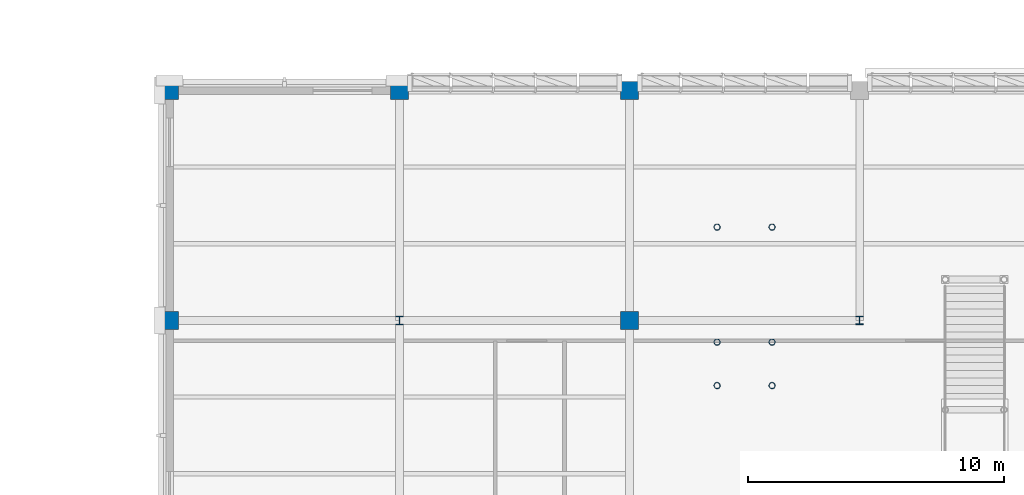
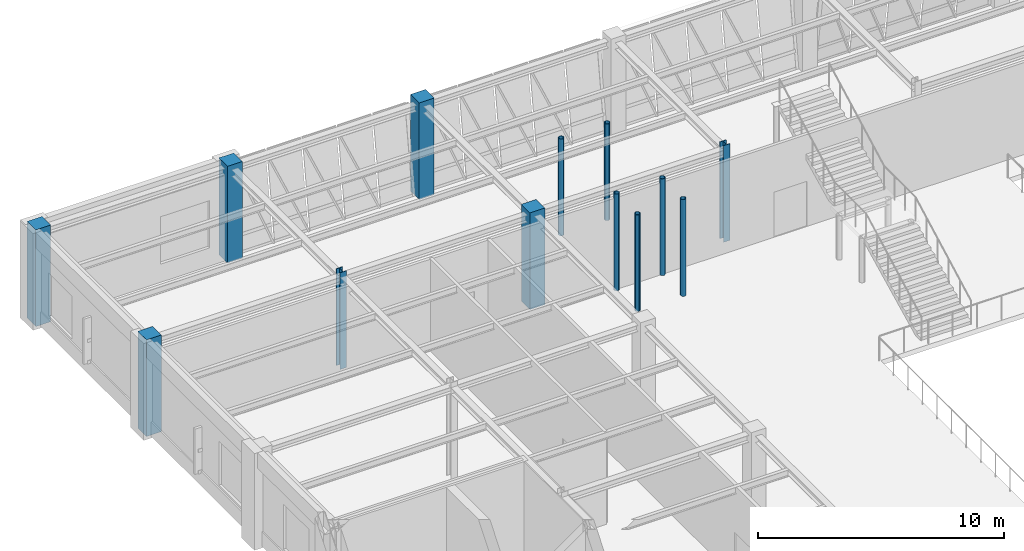
# One storey, part 9 of 98: 13 columns.
"""IFC4 building model written with IfcOpenShell, lengths in metres."""

from ifc_helpers import new_model, si_unit, direction, frame, origin, origin_2d, place, context, subcontext, project, spatial, rectangle, hollow_circle, i_section, extrude, material, material_profile, profile_set, type_object, element, save


model = new_model("IFC4")

# Units and contexts
model_context = context("Model", 3, precision=1e-05, world=origin(), true_north=direction((0.0, 1.0)))
body_context = subcontext(model_context, "Body", "Model", "MODEL_VIEW")
ifc_project = project(units=[si_unit("LENGTHUNIT", "METRE"), si_unit("AREAUNIT", "SQUARE_METRE"), si_unit("VOLUMEUNIT", "CUBIC_METRE"), si_unit("PLANEANGLEUNIT", "RADIAN"), si_unit("MASSUNIT", "GRAM", prefix="KILO")], contexts=[model_context])

# Site, building, storey
site_placement = place(None, origin())
site = spatial("IfcSite", under=ifc_project, at=site_placement, CompositionType="ELEMENT")
building_placement = place(site_placement, origin())
building = spatial("IfcBuilding", under=site, at=building_placement, Name="Lykobir Media Centre", CompositionType="ELEMENT")
storey_placement = place(building_placement, frame((0.0, 0.0, 10.199951171875)))
storey = spatial("IfcBuildingStorey", under=building, at=storey_placement, Name="L02", CompositionType="ELEMENT", Elevation=10.199951171875)

# Columns
ifc_material_1 = material(Name="Concrete C40/50", Category="concrete")
ifc_material_profile_1 = material_profile(ifc_material_1, rectangle(XDim=0.699951171875, YDim=0.699951171875, at=origin_2d()), Name="RC 700x700")
ifc_profile_set_1 = profile_set([ifc_material_profile_1], Name="Concrete C40/50")
column_type_1 = type_object("IfcColumnType", Name="RC-C700", PredefinedType="COLUMN", material=ifc_profile_set_1)
for number, where, z_axis, x_axis, name in (
    (1, (27.0, 99.0, 0.0), (0.0, 0.0, 1.0), (1.0, 0.0, 0.0), "Column COL-L02-0270-0990"),
    (2, (45.0, 99.0, 0.0), (0.0, 0.0, 1.0), (1.0, 0.0, 0.0), "Column COL-L02-0450-0990"),
):
    element("IfcColumn", number, at=place(storey_placement, frame(where, z_axis=z_axis, x_axis=x_axis)), inside=storey, type_object=column_type_1, Name=name, PredefinedType="COLUMN", context=body_context, shape_type="SweptSolid", body=[
        extrude(rectangle(XDim=0.699951171875, YDim=0.699951171875, at=origin_2d()), origin(), (0.0, 0.0, 1.0), 4.800048828125),
    ])
ifc_material_profile_2 = material_profile(ifc_material_1, rectangle(XDim=0.699951171875, YDim=0.699951171875, at=origin_2d()), Name="RC 700x700")
ifc_profile_set_2 = profile_set([ifc_material_profile_2], Name="Concrete C40/50")
column_type_2 = type_object("IfcColumnType", Name="RC-C700-E", PredefinedType="COLUMN", material=ifc_profile_set_2)
for number, where, z_axis, x_axis, name in (
    (3, (27.0, 108.0, 0.0), (0.0, 0.0, 1.0), (1.0, 0.0, 0.0), "Column COL-L02-0270-1080"),
    (4, (36.0, 108.0, 0.0), (0.0, 0.0, 1.0), (1.0, 0.0, 0.0), "Column COL-L02-0360-1080"),
    (5, (45.0, 108.0, 0.0), (0.0, 0.0, 1.0), (1.0, 0.0, 0.0), "Column COL-L02-0450-1080"),
):
    element("IfcColumn", number, at=place(storey_placement, frame(where, z_axis=z_axis, x_axis=x_axis)), inside=storey, type_object=column_type_2, Name=name, PredefinedType="COLUMN", context=body_context, shape_type="SweptSolid", body=[
        extrude(rectangle(XDim=0.699951171875, YDim=0.699951171875, at=origin_2d()), origin(), (0.0, 0.0, 1.0), 4.800048828125),
    ])
ifc_material_2 = material(Name="Steel S355", Category="steel")
ifc_material_profile_3 = material_profile(ifc_material_2, hollow_circle(Radius=0.122314453125, WallThickness=0.012451171875, at=origin_2d()), Name="CHS 244.5x12.5")
ifc_profile_set_3 = profile_set([ifc_material_profile_3], Name="Steel S355")
column_type_3 = type_object("IfcColumnType", Name="SC-CHS244", PredefinedType="COLUMN", material=ifc_profile_set_3)
for number, where, z_axis, x_axis, name in (
    (6, (48.425048828125, 96.449951171875, 0.0), (0.0, 0.0, 1.0), (1.0, 0.0, 0.0), "Valley stair column L02 4-484-964"),
    (7, (48.425048828125, 98.14990234375, 0.0), (0.0, 0.0, 1.0), (1.0, 0.0, 0.0), "Valley stair column L02 4-484-982"),
    (8, (50.574951171875, 96.449951171875, 0.0), (0.0, 0.0, 1.0), (1.0, 0.0, 0.0), "Valley stair column L02 4-506-964"),
    (9, (50.574951171875, 98.14990234375, 0.0), (0.0, 0.0, 1.0), (1.0, 0.0, 0.0), "Valley stair column L02 4-506-982"),
    (10, (48.425048828125, 102.64990234375, 0.0), (0.0, 0.0, 1.0), (1.0, 0.0, 0.0), "Valley arrival column L02 A4-484"),
    (11, (50.574951171875, 102.64990234375, 0.0), (0.0, 0.0, 1.0), (1.0, 0.0, 0.0), "Valley arrival column L02 A4-506"),
):
    element("IfcColumn", number, at=place(storey_placement, frame(where, z_axis=z_axis, x_axis=x_axis)), inside=storey, type_object=column_type_3, Name=name, PredefinedType="COLUMN", context=body_context, shape_type="SweptSolid", body=[
        extrude(hollow_circle(Radius=0.122314453125, WallThickness=0.012451171875, at=origin_2d()), origin(), (0.0, 0.0, 1.0), 4.800048828125),
    ])
ifc_material_profile_4 = material_profile(ifc_material_2, i_section(OverallWidth=0.300048828125, OverallDepth=0.320068359375, WebThickness=0.011474609375, FlangeThickness=0.0205078125, at=origin_2d()), Name="HEB 320")
ifc_profile_set_4 = profile_set([ifc_material_profile_4], Name="Steel S355")
column_type_4 = type_object("IfcColumnType", Name="SC-HEB320", PredefinedType="COLUMN", material=ifc_profile_set_4)
column_1_placement = place(storey_placement, frame((54.0, 99.0, 0.0), z_axis=(0.0, 0.0, 1.0), x_axis=(1.0, 0.0, 0.0)))
element("IfcColumn", 12, at=column_1_placement, inside=storey, type_object=column_type_4, Name="Column COL-L02-0540-0990", PredefinedType="COLUMN", context=body_context, shape_type="SweptSolid", body=[
    extrude(i_section(OverallWidth=0.300048828125, OverallDepth=0.320068359375, WebThickness=0.011474609375, FlangeThickness=0.0205078125, at=origin_2d()), origin(), (0.0, 0.0, 1.0), 4.800048828125),
])
ifc_material_profile_5 = material_profile(ifc_material_2, i_section(OverallWidth=0.300048828125, OverallDepth=0.340087890625, WebThickness=0.011962890625, FlangeThickness=0.021484375, at=origin_2d()), Name="HEB 340")
ifc_profile_set_5 = profile_set([ifc_material_profile_5], Name="Steel S355")
column_type_5 = type_object("IfcColumnType", Name="SC-HEB340", PredefinedType="COLUMN", material=ifc_profile_set_5)
column_2_placement = place(storey_placement, frame((36.0, 99.0, 0.0), z_axis=(0.0, 0.0, 1.0), x_axis=(1.0, 0.0, 0.0)))
element("IfcColumn", 13, at=column_2_placement, inside=storey, type_object=column_type_5, Name="Column COL-L02-0360-0990", PredefinedType="COLUMN", context=body_context, shape_type="SweptSolid", body=[
    extrude(i_section(OverallWidth=0.300048828125, OverallDepth=0.340087890625, WebThickness=0.011962890625, FlangeThickness=0.021484375, at=origin_2d()), origin(), (0.0, 0.0, 1.0), 4.800048828125),
])

save(model, "model.ifc")
